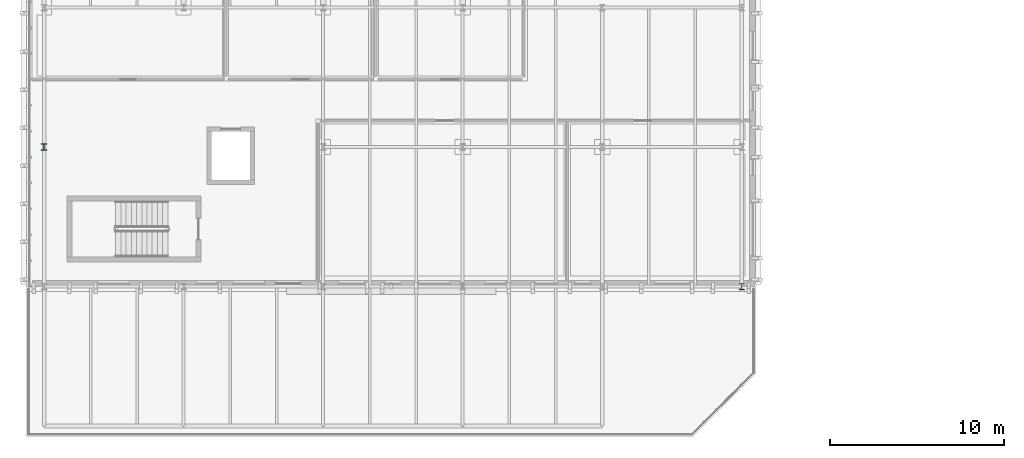
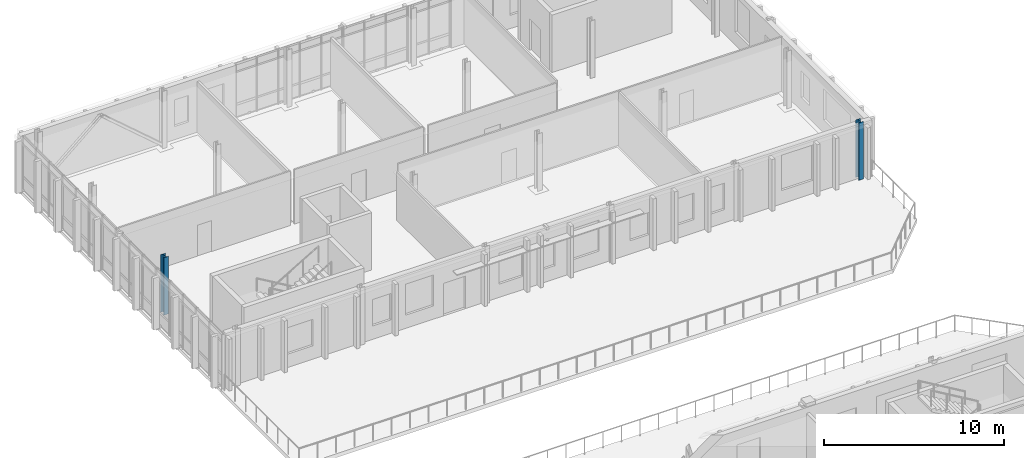
# One storey, part 3 of 43: 2 columns.
"""IFC4 building model written with IfcOpenShell, lengths in metres."""

from ifc_helpers import new_model, si_unit, direction, frame, origin, origin_2d, place, context, subcontext, project, spatial, i_section, extrude, material, material_profile, profile_set, type_object, element, save


model = new_model("IFC4")

# Units and contexts
model_context = context("Model", 3, precision=1e-05, world=origin(), true_north=direction((0.0, 1.0)))
body_context = subcontext(model_context, "Body", "Model", "MODEL_VIEW")
ifc_project = project(units=[si_unit("LENGTHUNIT", "METRE"), si_unit("AREAUNIT", "SQUARE_METRE"), si_unit("VOLUMEUNIT", "CUBIC_METRE"), si_unit("PLANEANGLEUNIT", "RADIAN"), si_unit("MASSUNIT", "GRAM", prefix="KILO")], contexts=[model_context])

# Site, building, storey
site_placement = place(None, origin())
site = spatial("IfcSite", under=ifc_project, at=site_placement, CompositionType="ELEMENT")
building_placement = place(site_placement, origin())
building = spatial("IfcBuilding", under=site, at=building_placement, Name="Cymarion Research Institute", CompositionType="ELEMENT")
storey_placement = place(building_placement, frame((0.0, 0.0, 22.800048828125)))
storey = spatial("IfcBuildingStorey", under=building, at=storey_placement, Name="L05", CompositionType="ELEMENT", Elevation=22.800048828125)

# Columns
ifc_material = material(Name="Steel S355", Category="steel")
ifc_material_profile_1 = material_profile(ifc_material, i_section(OverallWidth=0.300048828125, OverallDepth=0.360107421875, WebThickness=0.012451171875, FlangeThickness=0.0224609375, FilletRadius=0.027099609375, at=origin_2d()), Name="HEB 360")
ifc_profile_set_1 = profile_set([ifc_material_profile_1], Name="Steel S355")
column_type_1 = type_object("IfcColumnType", Name="STRUCTURAL COLUMN C07 HEB 360", PredefinedType="COLUMN", material=ifc_profile_set_1)
column_1_placement = place(storey_placement, frame((6.60009765625, 101.5, 0.0), z_axis=(0.0, 0.0, 1.0), x_axis=(1.0, 0.0, 0.0)))
element("IfcColumn", 1, at=column_1_placement, inside=storey, type_object=column_type_1, Name="L05 V5 column C07 #1108", PredefinedType="COLUMN", context=body_context, shape_type="SweptSolid", body=[
    extrude(i_section(OverallWidth=0.300048828125, OverallDepth=0.360107421875, WebThickness=0.012451171875, FlangeThickness=0.0224609375, FilletRadius=0.027099609375, at=origin_2d()), origin(), (0.0, 0.0, 1.0), 3.89990234375),
])
ifc_material_profile_2 = material_profile(ifc_material, i_section(OverallWidth=0.300048828125, OverallDepth=0.35009765625, WebThickness=0.010009765625, FlangeThickness=0.017578125, FilletRadius=0.027099609375, at=origin_2d()), Name="HEA 360")
ifc_profile_set_2 = profile_set([ifc_material_profile_2], Name="Steel S355")
column_type_2 = type_object("IfcColumnType", Name="STRUCTURAL COLUMN C12 HEA 360", PredefinedType="COLUMN", material=ifc_profile_set_2)
column_2_placement = place(storey_placement, frame((46.60009765625, 93.5, 0.0), z_axis=(0.0, 0.0, 1.0), x_axis=(1.0, 0.0, 0.0)))
element("IfcColumn", 2, at=column_2_placement, inside=storey, type_object=column_type_2, Name="L05 V5 column C12 #1144", PredefinedType="COLUMN", context=body_context, shape_type="SweptSolid", body=[
    extrude(i_section(OverallWidth=0.300048828125, OverallDepth=0.35009765625, WebThickness=0.010009765625, FlangeThickness=0.017578125, FilletRadius=0.027099609375, at=origin_2d()), origin(), (0.0, 0.0, 1.0), 3.89990234375),
])

save(model, "model.ifc")
